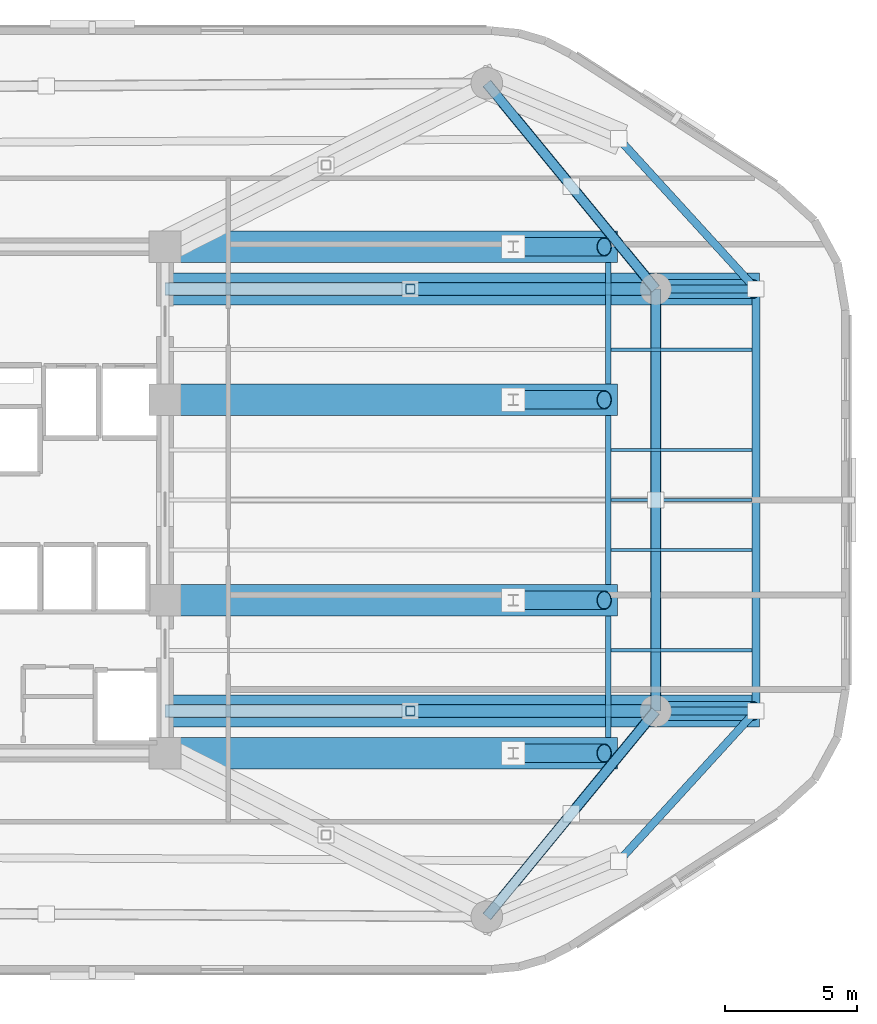
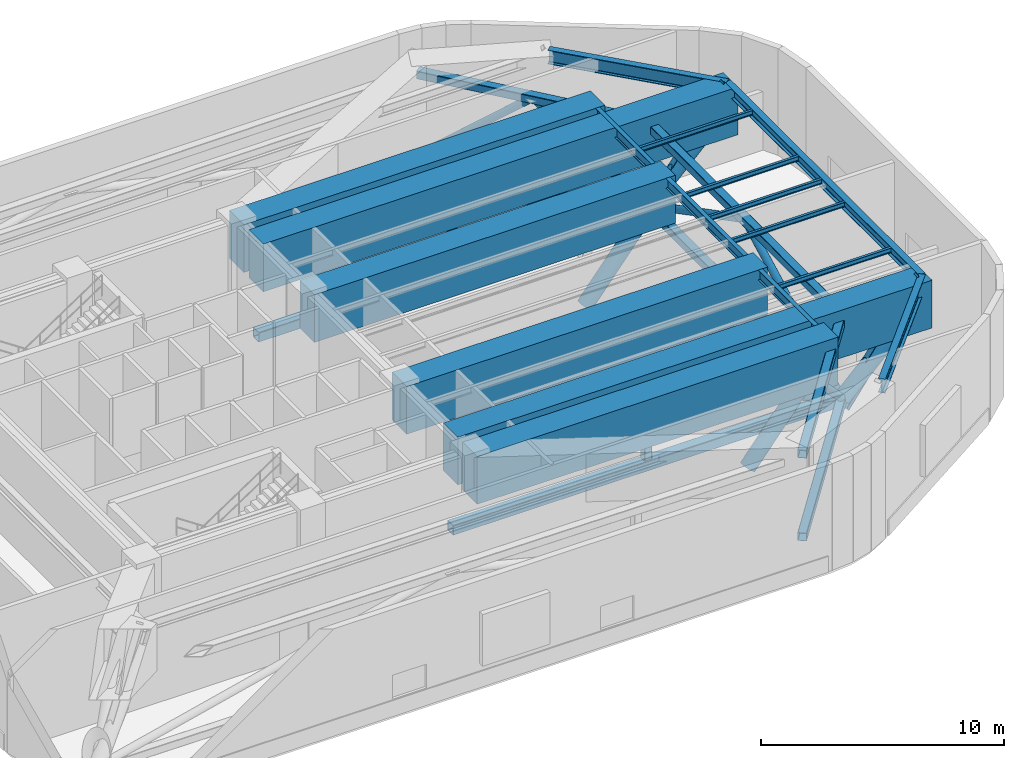
# One storey, part 3 of 9: 23 members, 19 beams.
"""IFC4 building model written with IfcOpenShell, lengths in metres."""

from ifc_helpers import new_model, si_unit, direction, frame, origin, origin_2d, place, context, subcontext, project, spatial, rectangle, hollow_rectangle, hollow_circle, i_section, extrude, material, material_profile, profile_set, type_object, element, save


model = new_model("IFC4")

# Units and contexts
model_context = context("Model", 3, precision=1e-05, world=origin(), true_north=direction((0.0, 1.0)))
body_context = subcontext(model_context, "Body", "Model", "MODEL_VIEW")
ifc_project = project(units=[si_unit("LENGTHUNIT", "METRE"), si_unit("AREAUNIT", "SQUARE_METRE"), si_unit("VOLUMEUNIT", "CUBIC_METRE"), si_unit("PLANEANGLEUNIT", "RADIAN"), si_unit("MASSUNIT", "GRAM", prefix="KILO")], contexts=[model_context])

# Site, building, storey
site_placement = place(None, origin())
site = spatial("IfcSite", under=ifc_project, at=site_placement, CompositionType="ELEMENT")
building_placement = place(site_placement, origin())
building = spatial("IfcBuilding", under=site, at=building_placement, Name="An Khanh Terracotta Commons", CompositionType="ELEMENT")
storey_placement = place(building_placement, frame((0.0, 0.0, 190.60009765625)))
storey = spatial("IfcBuildingStorey", under=building, at=storey_placement, Name="L50", CompositionType="ELEMENT", Elevation=190.60009765625)

# Members
ifc_material_1 = material(Name="Steel S460ML", Category="steel")
ifc_material_profile_1 = material_profile(ifc_material_1, hollow_rectangle(XDim=0.39990234375, YDim=0.39990234375, WallThickness=0.02001953125, InnerFilletRadius=0.02001953125, OuterFilletRadius=0.0400390625, at=origin_2d()), Name="SHS400x400x20")
ifc_profile_set_1 = profile_set([ifc_material_profile_1], Name="Steel S460ML")
member_type_1 = type_object("IfcMemberType", Name="BELT-CHORD-SHS400", PredefinedType="CHORD", material=ifc_profile_set_1)
for number, where, z_axis, x_axis, name in (
    (1, (49.39990234375, 8.199951171875, 0.449951171875), (0.634322915223, 0.7730681983, 0.0), (-0.7730681983, 0.634322915223, 0.0), "L50 Belt-Truss Bottom Chord 2"),
    (2, (49.39990234375, 8.199951171875, 4.60986328125), (0.634322915223, 0.7730681983, 0.0), (-0.7730681983, 0.634322915223, 0.0), "L50 Belt-Truss Top Chord 2"),
):
    element("IfcMember", number, at=place(storey_placement, frame(where, z_axis=z_axis, x_axis=x_axis)), inside=storey, type_object=member_type_1, Name=name, PredefinedType="CHORD", context=body_context, shape_type="SweptSolid", body=[
        extrude(hollow_rectangle(XDim=0.39990234375, YDim=0.39990234375, WallThickness=0.02001953125, InnerFilletRadius=0.02001953125, OuterFilletRadius=0.0400390625, at=origin_2d()), origin(), (0.0, 0.0, 1.0), 10.08984375),
    ])
for number, where, z_axis, x_axis, name in (
    (3, (55.800048828125, 16.0, 0.449951171875), (0.0, 1.0, 0.0), (-1.0, 0.0, 0.0), "L50 Belt-Truss Bottom Chord 3"),
    (4, (55.800048828125, 16.0, 4.60986328125), (0.0, 1.0, 0.0), (-1.0, 0.0, 0.0), "L50 Belt-Truss Top Chord 3"),
):
    element("IfcMember", number, at=place(storey_placement, frame(where, z_axis=z_axis, x_axis=x_axis)), inside=storey, type_object=member_type_1, Name=name, PredefinedType="CHORD", context=body_context, shape_type="SweptSolid", body=[
        extrude(hollow_rectangle(XDim=0.39990234375, YDim=0.39990234375, WallThickness=0.02001953125, InnerFilletRadius=0.02001953125, OuterFilletRadius=0.0400390625, at=origin_2d()), origin(), (0.0, 0.0, 1.0), 16.0),
    ])
for number, where, z_axis, x_axis, name in (
    (5, (55.800048828125, 32.0, 0.449951171875), (-0.634322915223, 0.7730681983, 0.0), (-0.7730681983, -0.634322915223, 0.0), "L50 Belt-Truss Bottom Chord 4"),
    (6, (55.800048828125, 32.0, 4.60986328125), (-0.634322915223, 0.7730681983, 0.0), (-0.7730681983, -0.634322915223, 0.0), "L50 Belt-Truss Top Chord 4"),
):
    element("IfcMember", number, at=place(storey_placement, frame(where, z_axis=z_axis, x_axis=x_axis)), inside=storey, type_object=member_type_1, Name=name, PredefinedType="CHORD", context=body_context, shape_type="SweptSolid", body=[
        extrude(hollow_rectangle(XDim=0.39990234375, YDim=0.39990234375, WallThickness=0.02001953125, InnerFilletRadius=0.02001953125, OuterFilletRadius=0.0400390625, at=origin_2d()), origin(), (0.0, 0.0, 1.0), 10.08984375),
    ])
ifc_material_profile_2 = material_profile(ifc_material_1, hollow_rectangle(XDim=0.5, YDim=0.5, WallThickness=0.02490234375, InnerFilletRadius=0.02490234375, OuterFilletRadius=0.050048828125, at=origin_2d()), Name="SHS500x500x25")
ifc_profile_set_2 = profile_set([ifc_material_profile_2], Name="Steel S460ML")
member_type_2 = type_object("IfcMemberType", Name="BELT-CHORD-SHS500", PredefinedType="CHORD", material=ifc_profile_set_2)
for number, where, z_axis, x_axis, name in (
    (7, (37.199951171875, 16.0, 0.449951171875), (1.0, 0.0, 0.0), (0.0, 1.0, 0.0), "L50 Outrigger Bottom Chord 3"),
    (8, (37.199951171875, 32.0, 0.449951171875), (1.0, 0.0, 0.0), (0.0, 1.0, 0.0), "L50 Outrigger Bottom Chord 4"),
):
    element("IfcMember", number, at=place(storey_placement, frame(where, z_axis=z_axis, x_axis=x_axis)), inside=storey, type_object=member_type_2, Name=name, PredefinedType="CHORD", context=body_context, shape_type="SweptSolid", body=[
        extrude(hollow_rectangle(XDim=0.5, YDim=0.5, WallThickness=0.02490234375, InnerFilletRadius=0.02490234375, OuterFilletRadius=0.050048828125, at=origin_2d()), origin(), (0.0, 0.0, 1.0), 18.60009765625),
    ])
ifc_material_profile_3 = material_profile(ifc_material_1, hollow_circle(Radius=0.177734375, WallThickness=0.01611328125, at=origin_2d()), Name="CHS355.6x16")
ifc_profile_set_3 = profile_set([ifc_material_profile_3], Name="Steel S460ML")
member_type_3 = type_object("IfcMemberType", Name="BELT-DIAG-CHS355", PredefinedType="BRACE", material=ifc_profile_set_3)
member_1_placement = place(storey_placement, frame((55.800048828125, 16.0, 0.449951171875), z_axis=(-0.489391045256, -0.596439502321, 0.636204625018), x_axis=(0.773070327925, -0.634320319777, 0.0)))
element("IfcMember", 9, at=member_1_placement, inside=storey, type_object=member_type_3, Name="L50 Belt-Truss Web Diagonal 2B", PredefinedType="BRACE", context=body_context, shape_type="SweptSolid", body=[
    extrude(hollow_circle(Radius=0.177734375, WallThickness=0.01611328125, at=origin_2d()), origin(), (0.0, 0.0, 1.0), 6.53857421875),
])
for number, where, z_axis, x_axis, name in (
    (10, (55.800048828125, 16.0, 0.449951171875), (0.0, 0.887220790965, 0.461345064003), (-1.0, 0.0, 0.0), "L50 Belt-Truss Web Diagonal 3A"),
    (11, (55.800048828125, 32.0, 0.449951171875), (0.0, -0.887220790965, 0.461345064003), (1.0, 0.0, 0.0), "L50 Belt-Truss Web Diagonal 3B"),
):
    element("IfcMember", number, at=place(storey_placement, frame(where, z_axis=z_axis, x_axis=x_axis)), inside=storey, type_object=member_type_3, Name=name, PredefinedType="BRACE", context=body_context, shape_type="SweptSolid", body=[
        extrude(hollow_circle(Radius=0.177734375, WallThickness=0.01611328125, at=origin_2d()), origin(), (0.0, 0.0, 1.0), 9.016845703125),
    ])
member_2_placement = place(storey_placement, frame((55.800048828125, 32.0, 0.449951171875), z_axis=(-0.489391045256, 0.596439502321, 0.636204625018), x_axis=(-0.773070327925, -0.634320319777, 0.0)))
element("IfcMember", 12, at=member_2_placement, inside=storey, type_object=member_type_3, Name="L50 Belt-Truss Web Diagonal 4A", PredefinedType="BRACE", context=body_context, shape_type="SweptSolid", body=[
    extrude(hollow_circle(Radius=0.177734375, WallThickness=0.01611328125, at=origin_2d()), origin(), (0.0, 0.0, 1.0), 6.53857421875),
])
member_3_placement = place(storey_placement, frame((49.39990234375, 39.800048828125, 0.449951171875), z_axis=(0.489408541079, -0.596452658204, 0.636178832122), x_axis=(0.773066068812, 0.634325510484, 0.0)))
element("IfcMember", 13, at=member_3_placement, inside=storey, type_object=member_type_3, Name="L50 Belt-Truss Web Diagonal 4B", PredefinedType="BRACE", context=body_context, shape_type="SweptSolid", body=[
    extrude(hollow_circle(Radius=0.177734375, WallThickness=0.01611328125, at=origin_2d()), origin(), (0.0, 0.0, 1.0), 6.538818359375),
])
ifc_material_profile_4 = material_profile(ifc_material_1, hollow_rectangle(XDim=0.35009765625, YDim=0.35009765625, WallThickness=0.01611328125, InnerFilletRadius=0.01611328125, OuterFilletRadius=0.031982421875, at=origin_2d()), Name="SHS350x350x16")
ifc_profile_set_4 = profile_set([ifc_material_profile_4], Name="Steel S460ML")
member_type_4 = type_object("IfcMemberType", Name="BELT-STRUT-SHS350", PredefinedType="STRUT", material=ifc_profile_set_4)
for number, where, z_axis, x_axis, name in (
    (14, (46.5, 16.0, 0.449951171875), (0.0, 0.0, 1.0), (1.0, 0.0, 0.0), "L50 Outrigger Vertical Post 3"),
    (15, (46.5, 32.0, 0.449951171875), (0.0, 0.0, 1.0), (1.0, 0.0, 0.0), "L50 Outrigger Vertical Post 4"),
):
    element("IfcMember", number, at=place(storey_placement, frame(where, z_axis=z_axis, x_axis=x_axis)), inside=storey, type_object=member_type_4, Name=name, PredefinedType="STRUT", context=body_context, shape_type="SweptSolid", body=[
        extrude(hollow_rectangle(XDim=0.35009765625, YDim=0.35009765625, WallThickness=0.01611328125, InnerFilletRadius=0.01611328125, OuterFilletRadius=0.031982421875, at=origin_2d()), origin(), (0.0, 0.0, 1.0), 4.159912109375),
    ])

# Beams
ifc_material_2 = material(Name="Steel S355J2", Category="steel")
ifc_material_profile_5 = material_profile(ifc_material_2, i_section(OverallWidth=0.300048828125, OverallDepth=0.5, WebThickness=0.014404296875, FlangeThickness=0.028076171875, FilletRadius=0.027099609375, at=origin_2d()), Name="HEB500")
ifc_profile_set_5 = profile_set([ifc_material_profile_5], Name="Steel S355J2")
beam_type_1 = type_object("IfcBeamType", Name="BM-HEB500", PredefinedType="BEAM", material=ifc_profile_set_5)
beam_1_placement = place(storey_placement, frame((59.60009765625, 16.0, 5.10986328125), z_axis=(0.0, 1.0, 0.0), x_axis=(-1.0, 0.0, 0.0)))
element("IfcBeam", 16, at=beam_1_placement, inside=storey, type_object=beam_type_1, Name="L50 Perimeter Ring Spandrel 3", PredefinedType="BEAM", context=body_context, shape_type="SweptSolid", body=[
    extrude(i_section(OverallWidth=0.300048828125, OverallDepth=0.5, WebThickness=0.014404296875, FlangeThickness=0.028076171875, FilletRadius=0.027099609375, at=origin_2d()), origin(), (0.0, 0.0, 1.0), 16.0),
])
ifc_material_profile_6 = material_profile(ifc_material_2, i_section(OverallWidth=0.300048828125, OverallDepth=0.60009765625, WebThickness=0.015380859375, FlangeThickness=0.030029296875, FilletRadius=0.027099609375, at=origin_2d()), Name="HEB600")
ifc_profile_set_6 = profile_set([ifc_material_profile_6], Name="Steel S355J2")
beam_type_2 = type_object("IfcBeamType", Name="BM-HEB600", PredefinedType="BEAM", material=ifc_profile_set_6)
for number, where, z_axis, x_axis, name in (
    (17, (55.800048828125, 16.0, 0.0), (0.586340223599, 0.0, 0.810064899986), (0.0, 1.0, 0.0), "L50 Outrigger Lower Column Tie Beam 3"),
    (18, (55.800048828125, 32.0, 0.0), (0.586340223599, 0.0, 0.810064899986), (0.0, 1.0, 0.0), "L50 Outrigger Lower Column Tie Beam 4"),
):
    element("IfcBeam", number, at=place(storey_placement, frame(where, z_axis=z_axis, x_axis=x_axis)), inside=storey, type_object=beam_type_2, Name=name, PredefinedType="BEAM", context=body_context, shape_type="SweptSolid", body=[
        extrude(i_section(OverallWidth=0.300048828125, OverallDepth=0.60009765625, WebThickness=0.015380859375, FlangeThickness=0.030029296875, FilletRadius=0.027099609375, at=origin_2d()), origin(), (0.0, 0.0, 1.0), 6.48095703125),
    ])
ifc_material_profile_7 = material_profile(ifc_material_2, i_section(OverallWidth=0.300048828125, OverallDepth=0.699951171875, WebThickness=0.01708984375, FlangeThickness=0.031982421875, FilletRadius=0.027099609375, at=origin_2d()), Name="HEB700")
ifc_profile_set_7 = profile_set([ifc_material_profile_7], Name="Steel S355J2")
beam_type_3 = type_object("IfcBeamType", Name="BM-HEB700", PredefinedType="BEAM", material=ifc_profile_set_7)
for number, where, z_axis, x_axis, name in (
    (19, (54.39990234375, 10.300048828125, 5.010009765625), (0.673978953902, 0.738750546326, 0.0), (-0.738750546326, 0.673978953902, 0.0), "L50 Perimeter Ring Spandrel 2"),
    (20, (59.60009765625, 32.0, 5.010009765625), (-0.673978953902, 0.738750546326, 0.0), (-0.738750546326, -0.673978953902, 0.0), "L50 Perimeter Ring Spandrel 4"),
):
    element("IfcBeam", number, at=place(storey_placement, frame(where, z_axis=z_axis, x_axis=x_axis)), inside=storey, type_object=beam_type_3, Name=name, PredefinedType="BEAM", context=body_context, shape_type="SweptSolid", body=[
        extrude(i_section(OverallWidth=0.300048828125, OverallDepth=0.699951171875, WebThickness=0.01708984375, FlangeThickness=0.031982421875, FilletRadius=0.027099609375, at=origin_2d()), origin(), (0.0, 0.0, 1.0), 7.715576171875),
    ])
ifc_material_profile_8 = material_profile(ifc_material_2, i_section(OverallWidth=0.1201171875, OverallDepth=0.239990234375, WebThickness=0.006103515625, FlangeThickness=0.009765625, FilletRadius=0.014892578125, at=origin_2d()), Name="IPE240")
ifc_profile_set_8 = profile_set([ifc_material_profile_8], Name="Steel S355J2")
beam_type_4 = type_object("IfcBeamType", Name="BM-IPE240", PredefinedType="JOIST", material=ifc_profile_set_8)
for number, where, z_axis, x_axis, name in (
    (21, (54.10009765625, 18.300048828125, 5.239990234375), (1.0, 0.0, 0.0), (0.0, 1.0, 0.0), "L50 Riverfront Composite Joist 2"),
    (22, (54.10009765625, 22.10009765625, 5.239990234375), (1.0, 0.0, 0.0), (0.0, 1.0, 0.0), "L50 Riverfront Composite Joist 3"),
    (23, (54.10009765625, 24.0, 5.239990234375), (1.0, 0.0, 0.0), (0.0, 1.0, 0.0), "L50 Riverfront Composite Joist 4"),
    (24, (54.10009765625, 25.89990234375, 5.239990234375), (1.0, 0.0, 0.0), (0.0, 1.0, 0.0), "L50 Riverfront Composite Joist 5"),
    (25, (54.10009765625, 29.699951171875, 5.239990234375), (1.0, 0.0, 0.0), (0.0, 1.0, 0.0), "L50 Riverfront Composite Joist 6"),
):
    element("IfcBeam", number, at=place(storey_placement, frame(where, z_axis=z_axis, x_axis=x_axis)), inside=storey, type_object=beam_type_4, Name=name, PredefinedType="JOIST", context=body_context, shape_type="SweptSolid", body=[
        extrude(i_section(OverallWidth=0.1201171875, OverallDepth=0.239990234375, WebThickness=0.006103515625, FlangeThickness=0.009765625, FilletRadius=0.014892578125, at=origin_2d()), origin(), (0.0, 0.0, 1.0), 5.349853515625),
    ])
ifc_material_profile_9 = material_profile(ifc_material_2, i_section(OverallWidth=0.199951171875, OverallDepth=0.5, WebThickness=0.01025390625, FlangeThickness=0.01611328125, FilletRadius=0.02099609375, at=origin_2d()), Name="IPE500")
ifc_profile_set_9 = profile_set([ifc_material_profile_9], Name="Steel S355J2")
beam_type_5 = type_object("IfcBeamType", Name="BM-IPE500", PredefinedType="BEAM", material=ifc_profile_set_9)
beam_2_placement = place(storey_placement, frame((54.0, 14.989990234375, 5.10986328125), z_axis=(0.0, 1.0, 0.0), x_axis=(-1.0, 0.0, 0.0)))
element("IfcBeam", 26, at=beam_2_placement, inside=storey, type_object=beam_type_5, Name="L50 East Spine Girder 1", PredefinedType="BEAM", context=body_context, shape_type="SweptSolid", body=[
    extrude(i_section(OverallWidth=0.199951171875, OverallDepth=0.5, WebThickness=0.01025390625, FlangeThickness=0.01611328125, FilletRadius=0.02099609375, at=origin_2d()), origin(), (0.0, 0.0, 1.0), 4.6201171875),
])
beam_3_placement = place(storey_placement, frame((54.0, 20.7900390625, 5.10986328125), z_axis=(0.0, 1.0, 0.0), x_axis=(-1.0, 0.0, 0.0)))
element("IfcBeam", 27, at=beam_3_placement, inside=storey, type_object=beam_type_5, Name="L50 East Spine Girder 2", PredefinedType="BEAM", context=body_context, shape_type="SweptSolid", body=[
    extrude(i_section(OverallWidth=0.199951171875, OverallDepth=0.5, WebThickness=0.01025390625, FlangeThickness=0.01611328125, FilletRadius=0.02099609375, at=origin_2d()), origin(), (0.0, 0.0, 1.0), 6.419921875),
])
beam_4_placement = place(storey_placement, frame((54.0, 28.389892578125, 5.10986328125), z_axis=(0.0, 1.0, 0.0), x_axis=(-1.0, 0.0, 0.0)))
element("IfcBeam", 28, at=beam_4_placement, inside=storey, type_object=beam_type_5, Name="L50 East Spine Girder 3", PredefinedType="BEAM", context=body_context, shape_type="SweptSolid", body=[
    extrude(i_section(OverallWidth=0.199951171875, OverallDepth=0.5, WebThickness=0.01025390625, FlangeThickness=0.01611328125, FilletRadius=0.02099609375, at=origin_2d()), origin(), (0.0, 0.0, 1.0), 4.6201171875),
])
ifc_material_3 = material(Name="Concrete C60/75", Category="concrete")
ifc_material_profile_10 = material_profile(ifc_material_3, rectangle(XDim=1.199951171875, YDim=2.39990234375, at=origin_2d()), Name="RCB1200x2400")
ifc_profile_set_10 = profile_set([ifc_material_profile_10], Name="Concrete C60/75")
beam_type_6 = type_object("IfcBeamType", Name="BM-RCB1200x2400", PredefinedType="BEAM", material=ifc_profile_set_10)
for number, where, z_axis, x_axis, name in (
    (29, (37.199951171875, 16.0, 4.159912109375), (1.0, 0.0, 0.0), (0.0, 1.0, 0.0), "L50 Outrigger Core-to-Mega Transfer Girder 3"),
    (30, (37.199951171875, 32.0, 4.159912109375), (1.0, 0.0, 0.0), (0.0, 1.0, 0.0), "L50 Outrigger Core-to-Mega Transfer Girder 4"),
):
    element("IfcBeam", number, at=place(storey_placement, frame(where, z_axis=z_axis, x_axis=x_axis)), inside=storey, type_object=beam_type_6, Name=name, PredefinedType="BEAM", context=body_context, shape_type="SweptSolid", body=[
        extrude(rectangle(XDim=1.199951171875, YDim=2.39990234375, at=origin_2d()), origin(), (0.0, 0.0, 1.0), 22.5400390625),
    ])
for number, where, z_axis, x_axis, name in (
    (31, (37.199951171875, 14.39990234375, 4.159912109375), (1.0, 0.0, 0.0), (0.0, 1.0, 0.0), "L50 Interior Column Step-Out Transfer Girder 1"),
    (32, (37.199951171875, 20.199951171875, 4.159912109375), (1.0, 0.0, 0.0), (0.0, 1.0, 0.0), "L50 Interior Column Step-Out Transfer Girder 2"),
    (33, (37.199951171875, 27.800048828125, 4.159912109375), (1.0, 0.0, 0.0), (0.0, 1.0, 0.0), "L50 Interior Column Step-Out Transfer Girder 3"),
    (34, (37.199951171875, 33.60009765625, 4.159912109375), (1.0, 0.0, 0.0), (0.0, 1.0, 0.0), "L50 Interior Column Step-Out Transfer Girder 4"),
):
    element("IfcBeam", number, at=place(storey_placement, frame(where, z_axis=z_axis, x_axis=x_axis)), inside=storey, type_object=beam_type_6, Name=name, PredefinedType="BEAM", context=body_context, shape_type="SweptSolid", body=[
        extrude(rectangle(XDim=1.199951171875, YDim=2.39990234375, at=origin_2d()), origin(), (0.0, 0.0, 1.0), 17.150146484375),
    ])

# Members
ifc_material_profile_11 = material_profile(ifc_material_1, hollow_circle(Radius=0.25390625, WallThickness=0.02490234375, at=origin_2d()), Name="CHS508x25")
ifc_profile_set_11 = profile_set([ifc_material_profile_11], Name="Steel S460ML")
member_type_5 = type_object("IfcMemberType", Name="OUTRIGGER-DIAG-CHS508", PredefinedType="BRACE", material=ifc_profile_set_11)
for number, where, z_axis, x_axis, name in (
    (35, (46.5, 16.0, 4.60986328125), (0.912841522523, 0.0, -0.408314039384), (0.0, 1.0, 0.0), "L50 Outrigger Tie Diagonal 3B"),
    (36, (46.5, 32.0, 4.60986328125), (0.912841522523, 0.0, -0.408314039384), (0.0, 1.0, 0.0), "L50 Outrigger Tie Diagonal 4B"),
):
    element("IfcMember", number, at=place(storey_placement, frame(where, z_axis=z_axis, x_axis=x_axis)), inside=storey, type_object=member_type_5, Name=name, PredefinedType="BRACE", context=body_context, shape_type="SweptSolid", body=[
        extrude(hollow_circle(Radius=0.25390625, WallThickness=0.02490234375, at=origin_2d()), origin(), (0.0, 0.0, 1.0), 10.18798828125),
    ])
ifc_material_profile_12 = material_profile(ifc_material_1, hollow_circle(Radius=0.35546875, WallThickness=0.031982421875, at=origin_2d()), Name="CHS711x32")
ifc_profile_set_12 = profile_set([ifc_material_profile_12], Name="Steel S460ML")
member_type_6 = type_object("IfcMemberType", Name="OUTRIGGER-RAKE-CHS711", PredefinedType="STRUT", material=ifc_profile_set_12)
for number, where, z_axis, x_axis, name in (
    (37, (55.800048828125, 16.0, 0.449951171875), (0.708058768268, 0.0, 0.706153510704), (0.0, 1.0, 0.0), "L50 Zone-Step Raking Outrigger Strut 3"),
    (38, (55.800048828125, 32.0, 0.449951171875), (0.708058768268, 0.0, 0.706153510704), (0.0, 1.0, 0.0), "L50 Zone-Step Raking Outrigger Strut 4"),
):
    element("IfcMember", number, at=place(storey_placement, frame(where, z_axis=z_axis, x_axis=x_axis)), inside=storey, type_object=member_type_6, Name=name, PredefinedType="STRUT", context=body_context, shape_type="SweptSolid", body=[
        extrude(hollow_circle(Radius=0.35546875, WallThickness=0.031982421875, at=origin_2d()), origin(), (0.0, 0.0, 1.0), 5.253662109375),
    ])
for number, where, z_axis, x_axis, name in (
    (39, (50.39990234375, 14.39990234375, -0.14013671875), (0.625817695859, 0.0, 0.779969365777), (0.0, 1.0, 0.0), "L50 Interior Column Raking Transfer Strut 1"),
    (40, (50.39990234375, 20.199951171875, -0.14013671875), (0.625817695859, 0.0, 0.779969365777), (0.0, 1.0, 0.0), "L50 Interior Column Raking Transfer Strut 2"),
    (41, (50.39990234375, 27.800048828125, -0.14013671875), (0.625817695859, 0.0, 0.779969365777), (0.0, 1.0, 0.0), "L50 Interior Column Raking Transfer Strut 3"),
    (42, (50.39990234375, 33.60009765625, -0.14013671875), (0.625817695859, 0.0, 0.779969365777), (0.0, 1.0, 0.0), "L50 Interior Column Raking Transfer Strut 4"),
):
    element("IfcMember", number, at=place(storey_placement, frame(where, z_axis=z_axis, x_axis=x_axis)), inside=storey, type_object=member_type_6, Name=name, PredefinedType="STRUT", context=body_context, shape_type="SweptSolid", body=[
        extrude(hollow_circle(Radius=0.35546875, WallThickness=0.031982421875, at=origin_2d()), origin(), (0.0, 0.0, 1.0), 5.51318359375),
    ])

save(model, "model.ifc")
